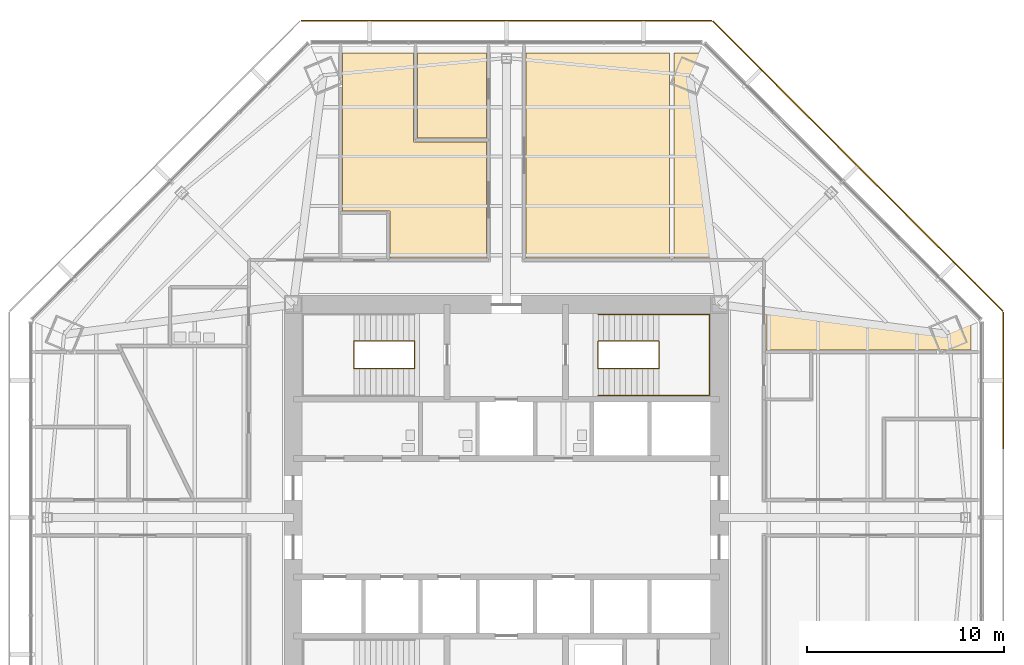
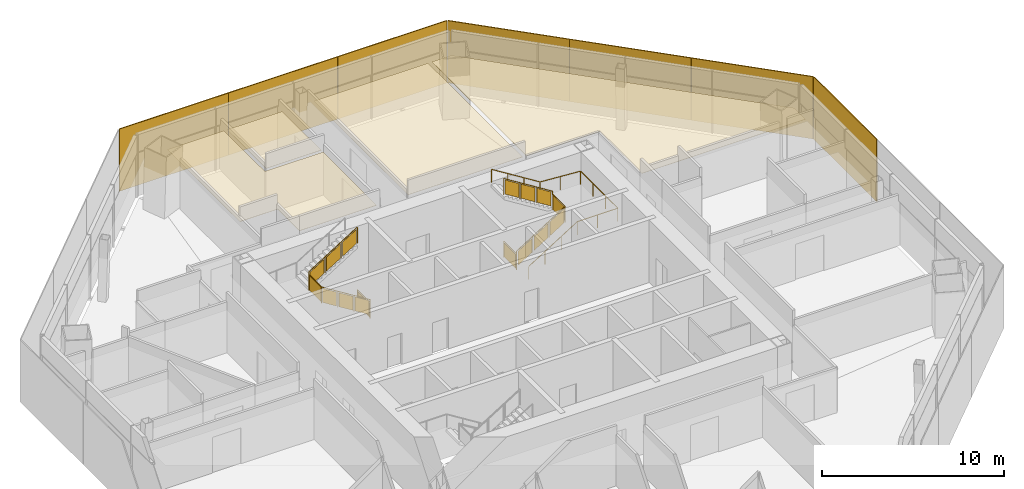
# One storey, part 13 of 14: 7 shading devices, 4 coverings, 3 railings.
"""IFC4 building model written with IfcOpenShell, lengths in metres."""

from ifc_helpers import new_model, si_unit, direction, frame, origin, origin_2d, place, context, subcontext, project, spatial, polyline, rectangle, circle, outline, extrude, source, transform, mapped, material, layer, layer_set, type_object, type_shapes, element, save


model = new_model("IFC4")

# Units and contexts
model_context = context("Model", 3, precision=1e-05, world=origin(), true_north=direction((0.0, 1.0)))
body_context = subcontext(model_context, "Body", "Model", "MODEL_VIEW")
ifc_project = project(units=[si_unit("LENGTHUNIT", "METRE"), si_unit("AREAUNIT", "SQUARE_METRE"), si_unit("VOLUMEUNIT", "CUBIC_METRE"), si_unit("PLANEANGLEUNIT", "RADIAN"), si_unit("MASSUNIT", "GRAM", prefix="KILO")], contexts=[model_context])

# Site, building, storey
site_placement = place(None, origin())
site = spatial("IfcSite", under=ifc_project, at=site_placement, CompositionType="ELEMENT")
building_placement = place(site_placement, origin())
building = spatial("IfcBuilding", under=site, at=building_placement, Name="Mashrafa Tower", CompositionType="ELEMENT")
storey_placement = place(building_placement, frame((0.0, 0.0, 138.60009765625)))
storey = spatial("IfcBuildingStorey", under=building, at=storey_placement, Name="L31", CompositionType="ELEMENT", Elevation=138.60009765625)

# Railings
ifc_material_1 = material(Name="Steel guard with glass infill", Category="steel")
railing_type_1 = type_object("IfcRailingType", Name="Stair guard 1100", PredefinedType="GUARDRAIL", material=ifc_material_1)
railing_1_placement = place(storey_placement, frame((-4.64990234375, 8.949951171875, 0.0)))
element("IfcRailing", 1, at=railing_1_placement, inside=storey, type_object=railing_type_1, Name="Stair S1 guard L31", PredefinedType="GUARDRAIL", context=body_context, shape_type="SweptSolid", body=[
    extrude(circle(Radius=0.02392578125, at=origin_2d()), frame((0.0, 0.0, 1.076171875), z_axis=(0.0, -1.0, 0.0), x_axis=(1.0, 0.0, 0.0)), (0.0, 0.0, 1.0), 1.39990234375),
    extrude(circle(Radius=0.02392578125, at=origin_2d()), frame((0.0, -1.39990234375, 1.076171875), z_axis=(0.0, 0.0, 1.0), x_axis=(1.0, 0.0, 0.0)), (0.0, 0.0, 1.0), 0.1748046875),
    extrude(circle(Radius=0.02392578125, at=origin_2d()), frame((0.0, -1.39990234375, 1.2509765625), z_axis=(-0.847998304005, 0.0, 0.529998940003), x_axis=(0.0, -1.0, 0.0)), (0.0, 0.0, 1.0), 3.632080078125),
    extrude(circle(Radius=0.02392578125, at=origin_2d()), frame((-3.080078125, -1.39990234375, 3.17578125), z_axis=(0.0, 1.0, 0.0), x_axis=(-1.0, 0.0, 0.0)), (0.0, 0.0, 1.0), 1.39990234375),
    extrude(circle(Radius=0.02392578125, at=origin_2d()), frame((-3.080078125, 0.0, 3.17578125), z_axis=(0.0, 0.0, 1.0), x_axis=(1.0, 0.0, 0.0)), (0.0, 0.0, 1.0), 0.175048828125),
    extrude(circle(Radius=0.02392578125, at=origin_2d()), frame((-3.080078125, 0.0, 3.35107421875), z_axis=(0.847998304005, 0.0, 0.529998940003), x_axis=(0.0, 1.0, 0.0)), (0.0, 0.0, 1.0), 3.632080078125),
    extrude(circle(Radius=0.02099609375, at=origin_2d()), origin(), (0.0, 0.0, 1.0), 1.052001953125),
    extrude(circle(Radius=0.02099609375, at=origin_2d()), frame((0.0, -1.39990234375, 0.0)), (0.0, 0.0, 1.0), 1.052001953125),
    extrude(circle(Radius=0.02099609375, at=origin_2d()), frame((0.0, -1.39990234375, 0.1748046875)), (0.0, 0.0, 1.0), 1.052001953125),
    extrude(circle(Radius=0.02099609375, at=origin_2d()), frame((-1.026611328125, -1.39990234375, 0.81640625)), (0.0, 0.0, 1.0), 1.052001953125),
    extrude(circle(Radius=0.02099609375, at=origin_2d()), frame((-2.053466796875, -1.39990234375, 1.458251953125)), (0.0, 0.0, 1.0), 1.052001953125),
    extrude(circle(Radius=0.02099609375, at=origin_2d()), frame((-3.080078125, -1.39990234375, 2.099853515625)), (0.0, 0.0, 1.0), 1.052001953125),
    extrude(circle(Radius=0.02099609375, at=origin_2d()), frame((-3.080078125, 0.0, 2.099853515625)), (0.0, 0.0, 1.0), 1.052001953125),
    extrude(circle(Radius=0.02099609375, at=origin_2d()), frame((-3.080078125, 0.0, 2.27490234375)), (0.0, 0.0, 1.0), 1.052001953125),
    extrude(circle(Radius=0.02099609375, at=origin_2d()), frame((-2.053466796875, 0.0, 2.91650390625)), (0.0, 0.0, 1.0), 1.052001953125),
    extrude(circle(Radius=0.02099609375, at=origin_2d()), frame((-1.026611328125, 0.0, 3.558349609375)), (0.0, 0.0, 1.0), 1.052001953125),
    extrude(circle(Radius=0.02099609375, at=origin_2d()), frame((0.0, 0.0, 4.199951171875)), (0.0, 0.0, 1.0), 1.052001953125),
    extrude(outline(polyline([(0.071044921875, 0.050048828125), (1.328857421875, 0.050048828125), (1.328857421875, 1.001953125), (0.071044921875, 1.001953125), (0.071044921875, 0.050048828125)])), frame((-0.006103515625, 0.0, 0.0), z_axis=(-1.0, 0.0, 0.0), x_axis=(0.0, -1.0, 0.0)), (0.0, 0.0, 1.0), 0.011962890625),
    extrude(outline(polyline([(0.071044921875, 0.094482421875), (0.955810546875, 0.647216796875), (0.955810546875, 1.599365234375), (0.071044921875, 1.04638671875), (0.071044921875, 0.094482421875)])), frame((0.0, -1.393798828125, 0.1748046875), z_axis=(0.0, 1.0, 0.0), x_axis=(-1.0, 0.0, 0.0)), (0.0, 0.0, 1.0), 0.011962890625),
    extrude(outline(polyline([(1.09765625, 0.736083984375), (1.982421875, 1.2890625), (1.982421875, 2.240966796875), (1.09765625, 1.68798828125), (1.09765625, 0.736083984375)])), frame((0.0, -1.393798828125, 0.1748046875), z_axis=(0.0, 1.0, 0.0), x_axis=(-1.0, 0.0, 0.0)), (0.0, 0.0, 1.0), 0.011962890625),
    extrude(outline(polyline([(2.124267578125, 1.377685546875), (3.009033203125, 1.9306640625), (3.009033203125, 2.882568359375), (2.124267578125, 2.329833984375), (2.124267578125, 1.377685546875)])), frame((0.0, -1.393798828125, 0.1748046875), z_axis=(0.0, 1.0, 0.0), x_axis=(-1.0, 0.0, 0.0)), (0.0, 0.0, 1.0), 0.011962890625),
    extrude(outline(polyline([(0.071044921875, 0.050048828125), (1.328857421875, 0.050048828125), (1.328857421875, 1.001953125), (0.071044921875, 1.001953125), (0.071044921875, 0.050048828125)])), frame((-3.073974609375, -1.39990234375, 2.099853515625), z_axis=(1.0, 0.0, 0.0), x_axis=(0.0, 1.0, 0.0)), (0.0, 0.0, 1.0), 0.011962890625),
    extrude(outline(polyline([(0.071044921875, 0.094482421875), (0.955810546875, 0.647216796875), (0.955810546875, 1.599365234375), (0.071044921875, 1.04638671875), (0.071044921875, 0.094482421875)])), frame((-3.080078125, -0.006103515625, 2.27490234375), z_axis=(0.0, -1.0, 0.0), x_axis=(1.0, 0.0, 0.0)), (0.0, 0.0, 1.0), 0.011962890625),
    extrude(outline(polyline([(1.09765625, 0.736083984375), (1.982421875, 1.2890625), (1.982421875, 2.240966796875), (1.09765625, 1.68798828125), (1.09765625, 0.736083984375)])), frame((-3.080078125, -0.006103515625, 2.27490234375), z_axis=(0.0, -1.0, 0.0), x_axis=(1.0, 0.0, 0.0)), (0.0, 0.0, 1.0), 0.011962890625),
    extrude(outline(polyline([(2.124267578125, 1.377685546875), (3.009033203125, 1.9306640625), (3.009033203125, 2.882568359375), (2.124267578125, 2.329833984375), (2.124267578125, 1.377685546875)])), frame((-3.080078125, -0.006103515625, 2.27490234375), z_axis=(0.0, -1.0, 0.0), x_axis=(1.0, 0.0, 0.0)), (0.0, 0.0, 1.0), 0.011962890625),
])
railing_2_placement = place(storey_placement, frame((4.64990234375, 8.949951171875, 0.0)))
element("IfcRailing", 2, at=railing_2_placement, inside=storey, type_object=railing_type_1, Name="Stair S2 guard L31", PredefinedType="GUARDRAIL", context=body_context, shape_type="SweptSolid", body=[
    extrude(circle(Radius=0.02392578125, at=origin_2d()), frame((0.0, 0.0, 1.076171875), z_axis=(0.0, -1.0, 0.0), x_axis=(1.0, 0.0, 0.0)), (0.0, 0.0, 1.0), 1.39990234375),
    extrude(circle(Radius=0.02392578125, at=origin_2d()), frame((0.0, -1.39990234375, 1.076171875), z_axis=(0.0, 0.0, 1.0), x_axis=(1.0, 0.0, 0.0)), (0.0, 0.0, 1.0), 0.1748046875),
    extrude(circle(Radius=0.02392578125, at=origin_2d()), frame((0.0, -1.39990234375, 1.2509765625), z_axis=(0.847998304005, 0.0, 0.529998940003), x_axis=(0.0, 1.0, 0.0)), (0.0, 0.0, 1.0), 3.632080078125),
    extrude(circle(Radius=0.02392578125, at=origin_2d()), frame((3.080078125, -1.39990234375, 3.17578125), z_axis=(0.0, 1.0, 0.0), x_axis=(-1.0, 0.0, 0.0)), (0.0, 0.0, 1.0), 1.39990234375),
    extrude(circle(Radius=0.02392578125, at=origin_2d()), frame((3.080078125, 0.0, 3.17578125), z_axis=(0.0, 0.0, 1.0), x_axis=(1.0, 0.0, 0.0)), (0.0, 0.0, 1.0), 0.175048828125),
    extrude(circle(Radius=0.02392578125, at=origin_2d()), frame((3.080078125, 0.0, 3.35107421875), z_axis=(-0.847998304005, 0.0, 0.529998940003), x_axis=(0.0, -1.0, 0.0)), (0.0, 0.0, 1.0), 3.632080078125),
    extrude(circle(Radius=0.02099609375, at=origin_2d()), origin(), (0.0, 0.0, 1.0), 1.052001953125),
    extrude(circle(Radius=0.02099609375, at=origin_2d()), frame((0.0, -1.39990234375, 0.0)), (0.0, 0.0, 1.0), 1.052001953125),
    extrude(circle(Radius=0.02099609375, at=origin_2d()), frame((0.0, -1.39990234375, 0.1748046875)), (0.0, 0.0, 1.0), 1.052001953125),
    extrude(circle(Radius=0.02099609375, at=origin_2d()), frame((1.026611328125, -1.39990234375, 0.81640625)), (0.0, 0.0, 1.0), 1.052001953125),
    extrude(circle(Radius=0.02099609375, at=origin_2d()), frame((2.053466796875, -1.39990234375, 1.458251953125)), (0.0, 0.0, 1.0), 1.052001953125),
    extrude(circle(Radius=0.02099609375, at=origin_2d()), frame((3.080078125, -1.39990234375, 2.099853515625)), (0.0, 0.0, 1.0), 1.052001953125),
    extrude(circle(Radius=0.02099609375, at=origin_2d()), frame((3.080078125, 0.0, 2.099853515625)), (0.0, 0.0, 1.0), 1.052001953125),
    extrude(circle(Radius=0.02099609375, at=origin_2d()), frame((3.080078125, 0.0, 2.27490234375)), (0.0, 0.0, 1.0), 1.052001953125),
    extrude(circle(Radius=0.02099609375, at=origin_2d()), frame((2.053466796875, 0.0, 2.91650390625)), (0.0, 0.0, 1.0), 1.052001953125),
    extrude(circle(Radius=0.02099609375, at=origin_2d()), frame((1.026611328125, 0.0, 3.558349609375)), (0.0, 0.0, 1.0), 1.052001953125),
    extrude(circle(Radius=0.02099609375, at=origin_2d()), frame((0.0, 0.0, 4.199951171875)), (0.0, 0.0, 1.0), 1.052001953125),
    extrude(outline(polyline([(0.071044921875, 0.050048828125), (1.328857421875, 0.050048828125), (1.328857421875, 1.001953125), (0.071044921875, 1.001953125), (0.071044921875, 0.050048828125)])), frame((-0.006103515625, 0.0, 0.0), z_axis=(-1.0, 0.0, 0.0), x_axis=(0.0, -1.0, 0.0)), (0.0, 0.0, 1.0), 0.011962890625),
    extrude(outline(polyline([(0.071044921875, 0.094482421875), (0.955810546875, 0.647216796875), (0.955810546875, 1.599365234375), (0.071044921875, 1.04638671875), (0.071044921875, 0.094482421875)])), frame((0.0, -1.406005859375, 0.1748046875), z_axis=(0.0, -1.0, 0.0), x_axis=(1.0, 0.0, 0.0)), (0.0, 0.0, 1.0), 0.011962890625),
    extrude(outline(polyline([(1.09765625, 0.736083984375), (1.982421875, 1.2890625), (1.982421875, 2.240966796875), (1.09765625, 1.68798828125), (1.09765625, 0.736083984375)])), frame((0.0, -1.406005859375, 0.1748046875), z_axis=(0.0, -1.0, 0.0), x_axis=(1.0, 0.0, 0.0)), (0.0, 0.0, 1.0), 0.011962890625),
    extrude(outline(polyline([(2.124267578125, 1.377685546875), (3.009033203125, 1.9306640625), (3.009033203125, 2.882568359375), (2.124267578125, 2.329833984375), (2.124267578125, 1.377685546875)])), frame((0.0, -1.406005859375, 0.1748046875), z_axis=(0.0, -1.0, 0.0), x_axis=(1.0, 0.0, 0.0)), (0.0, 0.0, 1.0), 0.011962890625),
    extrude(outline(polyline([(0.071044921875, 0.050048828125), (1.328857421875, 0.050048828125), (1.328857421875, 1.001953125), (0.071044921875, 1.001953125), (0.071044921875, 0.050048828125)])), frame((3.086181640625, -1.39990234375, 2.099853515625), z_axis=(1.0, 0.0, 0.0), x_axis=(0.0, 1.0, 0.0)), (0.0, 0.0, 1.0), 0.011962890625),
    extrude(outline(polyline([(0.071044921875, 0.094482421875), (0.955810546875, 0.647216796875), (0.955810546875, 1.599365234375), (0.071044921875, 1.04638671875), (0.071044921875, 0.094482421875)])), frame((3.080078125, 0.006103515625, 2.27490234375), z_axis=(0.0, 1.0, 0.0), x_axis=(-1.0, 0.0, 0.0)), (0.0, 0.0, 1.0), 0.011962890625),
    extrude(outline(polyline([(1.09765625, 0.736083984375), (1.982421875, 1.2890625), (1.982421875, 2.240966796875), (1.09765625, 1.68798828125), (1.09765625, 0.736083984375)])), frame((3.080078125, 0.006103515625, 2.27490234375), z_axis=(0.0, 1.0, 0.0), x_axis=(-1.0, 0.0, 0.0)), (0.0, 0.0, 1.0), 0.011962890625),
    extrude(outline(polyline([(2.124267578125, 1.377685546875), (3.009033203125, 1.9306640625), (3.009033203125, 2.882568359375), (2.124267578125, 2.329833984375), (2.124267578125, 1.377685546875)])), frame((3.080078125, 0.006103515625, 2.27490234375), z_axis=(0.0, 1.0, 0.0), x_axis=(-1.0, 0.0, 0.0)), (0.0, 0.0, 1.0), 0.011962890625),
])
ifc_material_2 = material(Name="Steel", Category="steel")
railing_type_2 = type_object("IfcRailingType", Name="Stair handrail 900", PredefinedType="HANDRAIL", material=ifc_material_2)
railing_3_placement = place(storey_placement, frame((4.64990234375, 6.199951171875, 0.1748046875)))
element("IfcRailing", 3, at=railing_3_placement, inside=storey, type_object=railing_type_2, Name="Stair S2 handrail L31", PredefinedType="HANDRAIL", context=body_context, shape_type="SweptSolid", body=[
    extrude(circle(Radius=0.02392578125, at=origin_2d()), frame((0.0, 0.0, 0.8759765625), z_axis=(0.847998304005, 0.0, 0.529998940003), x_axis=(0.0, 1.0, 0.0)), (0.0, 0.0, 1.0), 3.632080078125),
    extrude(circle(Radius=0.02392578125, at=origin_2d()), frame((3.080078125, 0.0, 2.80078125), z_axis=(1.0, 0.0, 0.0), x_axis=(0.0, 1.0, 0.0)), (0.0, 0.0, 1.0), 2.570068359375),
    extrude(circle(Radius=0.02392578125, at=origin_2d()), frame((5.650146484375, 0.0, 2.80078125), z_axis=(0.0, 1.0, 0.0), x_axis=(-1.0, 0.0, 0.0)), (0.0, 0.0, 1.0), 4.10009765625),
    extrude(circle(Radius=0.02392578125, at=origin_2d()), frame((5.650146484375, 4.10009765625, 2.80078125), z_axis=(-0.997688514158, 0.0, 0.067953136188), x_axis=(0.0, -1.0, 0.0)), (0.0, 0.0, 1.0), 2.575927734375),
    extrude(circle(Radius=0.02392578125, at=origin_2d()), frame((3.080078125, 4.10009765625, 2.97607421875), z_axis=(-0.847998304005, 0.0, 0.529998940003), x_axis=(0.0, -1.0, 0.0)), (0.0, 0.0, 1.0), 3.632080078125),
    extrude(circle(Radius=0.02099609375, at=origin_2d()), origin(), (0.0, 0.0, 1.0), 0.851806640625),
    extrude(circle(Radius=0.02099609375, at=origin_2d()), frame((1.026611328125, 0.0, 0.6416015625)), (0.0, 0.0, 1.0), 0.851806640625),
    extrude(circle(Radius=0.02099609375, at=origin_2d()), frame((2.053466796875, 0.0, 1.283447265625)), (0.0, 0.0, 1.0), 0.851806640625),
    extrude(circle(Radius=0.02099609375, at=origin_2d()), frame((3.080078125, 0.0, 1.925048828125)), (0.0, 0.0, 1.0), 0.851806640625),
    extrude(circle(Radius=0.02099609375, at=origin_2d()), frame((4.365234375, 0.0, 1.925048828125)), (0.0, 0.0, 1.0), 0.851806640625),
    extrude(circle(Radius=0.02099609375, at=origin_2d()), frame((5.650146484375, 0.0, 1.925048828125)), (0.0, 0.0, 1.0), 0.851806640625),
    extrude(circle(Radius=0.02099609375, at=origin_2d()), frame((5.650146484375, 1.36669921875, 1.925048828125)), (0.0, 0.0, 1.0), 0.851806640625),
    extrude(circle(Radius=0.02099609375, at=origin_2d()), frame((5.650146484375, 2.7333984375, 1.925048828125)), (0.0, 0.0, 1.0), 0.851806640625),
    extrude(circle(Radius=0.02099609375, at=origin_2d()), frame((5.650146484375, 4.10009765625, 1.925048828125)), (0.0, 0.0, 1.0), 0.851806640625),
    extrude(circle(Radius=0.02099609375, at=origin_2d()), frame((4.365234375, 4.10009765625, 2.0126953125)), (0.0, 0.0, 1.0), 0.851806640625),
    extrude(circle(Radius=0.02099609375, at=origin_2d()), frame((3.080078125, 4.10009765625, 2.10009765625)), (0.0, 0.0, 1.0), 0.851806640625),
    extrude(circle(Radius=0.02099609375, at=origin_2d()), frame((2.053466796875, 4.10009765625, 2.74169921875)), (0.0, 0.0, 1.0), 0.851806640625),
    extrude(circle(Radius=0.02099609375, at=origin_2d()), frame((1.026611328125, 4.10009765625, 3.383544921875)), (0.0, 0.0, 1.0), 0.851806640625),
    extrude(circle(Radius=0.02099609375, at=origin_2d()), frame((0.0, 4.10009765625, 4.025146484375)), (0.0, 0.0, 1.0), 0.851806640625),
])

# Coverings
ifc_material_3 = material(Name="Mineral fibre tile on suspension grid")
ifc_layer_1 = layer(ifc_material_3, 0.014892578125)
ifc_layer_set_1 = layer_set([ifc_layer_1], Name="Suspended ceiling mineral tile 15")
covering_type = type_object("IfcCoveringType", Name="Suspended ceiling mineral tile 15", PredefinedType="CEILING", material=ifc_layer_set_1)
covering_1_placement = place(storey_placement, frame((0.0, 0.0, 2.89990234375)))
element("IfcCovering", 4, at=covering_1_placement, inside=storey, type_object=covering_type, Name="Ceiling Meeting Room 31-N", PredefinedType="CEILING", context=body_context, shape_type="SweptSolid", body=[
    extrude(outline(polyline([(-4.5, 23.5439453125), (-1.0, 23.5439453125), (-1.0, 19.243896484375), (-4.5, 19.243896484375), (-4.5, 23.5439453125)])), origin(), (0.0, 0.0, 1.0), 0.014892578125),
])
covering_2_placement = place(storey_placement, frame((0.0, 0.0, 2.89990234375)))
element("IfcCovering", 5, at=covering_2_placement, inside=storey, type_object=covering_type, Name="Ceiling Office Suite 31-NE12", PredefinedType="CEILING", context=body_context, shape_type="SweptSolid", body=[
    extrude(outline(polyline([(1.0, 23.5439453125), (8.260009765625, 23.5439453125), (8.260009765625, 13.14990234375), (1.0, 13.14990234375), (1.0, 23.5439453125)])), origin(), (0.0, 0.0, 1.0), 0.014892578125),
])
covering_3_placement = place(storey_placement, frame((0.0, 0.0, 2.89990234375)))
element("IfcCovering", 6, at=covering_3_placement, inside=storey, type_object=covering_type, Name="Ceiling Office Suite 31-NE22", PredefinedType="CEILING", context=body_context, shape_type="SweptSolid", body=[
    extrude(outline(polyline([(8.5, 13.14990234375), (8.5, 23.5439453125), (9.752197265625, 23.5439453125), (23.5439453125, 9.752197265625), (23.5439453125, 8.5), (13.14990234375, 8.5), (13.14990234375, 13.14990234375), (8.5, 13.14990234375)])), origin(), (0.0, 0.0, 1.0), 0.014892578125),
])
covering_4_placement = place(storey_placement, frame((0.0, 0.0, 2.89990234375)))
element("IfcCovering", 7, at=covering_4_placement, inside=storey, type_object=covering_type, Name="Ceiling Office Suite 31-NW12", PredefinedType="CEILING", context=body_context, shape_type="SweptSolid", body=[
    extrude(outline(polyline([(-8.300048828125, 15.550048828125), (-8.300048828125, 23.5439453125), (-4.699951171875, 23.5439453125), (-4.699951171875, 19.0439453125), (-1.0, 19.0439453125), (-1.0, 13.14990234375), (-5.89990234375, 13.14990234375), (-5.89990234375, 15.550048828125), (-8.300048828125, 15.550048828125)])), origin(), (0.0, 0.0, 1.0), 0.014892578125),
])

# Shading devices
ifc_material_4 = material(Name="Perforated aluminium plate, eight-point star pattern", Category="aluminium")
ifc_layer_2 = layer(ifc_material_4, 0.06005859375)
ifc_layer_set_2 = layer_set([ifc_layer_2], Name="Mashrabiya screen panel office zone 2, 40 percent open")
shading_device_type = type_object("IfcShadingDeviceType", Name="Mashrabiya screen panel office zone 2, 40 percent open", PredefinedType="SHUTTER", material=ifc_layer_set_2)
shared_shape = source(origin(), body_context, "Body", "SweptSolid", [
    extrude(rectangle(XDim=6.922119140625, YDim=0.06005859375, at=origin_2d()), origin(), (0.0, 0.0, 1.0), 4.179931640625),
])
type_shapes(shading_device_type, [shared_shape])
for number, where, z_axis, x_axis, name in (
    (8, (25.19384765625, 6.942138671875, -0.14990234375), (0.0, 0.0, 1.0), (0.0, 1.0, 0.0), "Mashrabiya screen L31 east 3"),
    (9, (22.7236328125, 12.906005859375, -0.14990234375), (0.0, 0.0, 1.0), (-0.707106781187, 0.707106781187, 0.0), "Mashrabiya screen L31 north-east 1"),
    (10, (17.814697265625, 17.814697265625, -0.14990234375), (0.0, 0.0, 1.0), (-0.707106781187, 0.707106781187, 0.0), "Mashrabiya screen L31 north-east 2"),
    (11, (12.906005859375, 22.7236328125, -0.14990234375), (0.0, 0.0, 1.0), (-0.707106781187, 0.707106781187, 0.0), "Mashrabiya screen L31 north-east 3"),
    (12, (6.942138671875, 25.19384765625, -0.14990234375), (0.0, 0.0, 1.0), (-1.0, 0.0, 0.0), "Mashrabiya screen L31 north 1"),
    (13, (0.0, 25.19384765625, -0.14990234375), (0.0, 0.0, 1.0), (-1.0, 0.0, 0.0), "Mashrabiya screen L31 north 2"),
    (14, (-6.942138671875, 25.19384765625, -0.14990234375), (0.0, 0.0, 1.0), (-1.0, 0.0, 0.0), "Mashrabiya screen L31 north 3"),
):
    element("IfcShadingDevice", number, at=place(storey_placement, frame(where, z_axis=z_axis, x_axis=x_axis)), inside=storey, type_object=shading_device_type, Name=name, PredefinedType="SHUTTER", context=body_context, shape_type="MappedRepresentation", body=[
        mapped(shared_shape, transform((0.0, 0.0, 0.0))),
    ])

save(model, "model.ifc")
